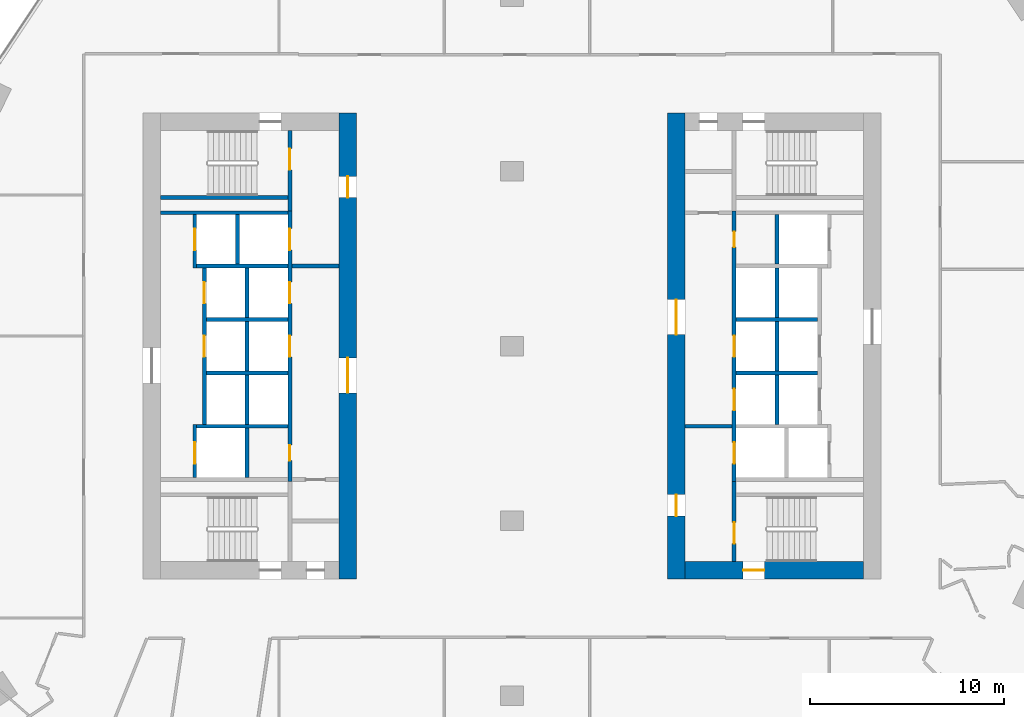
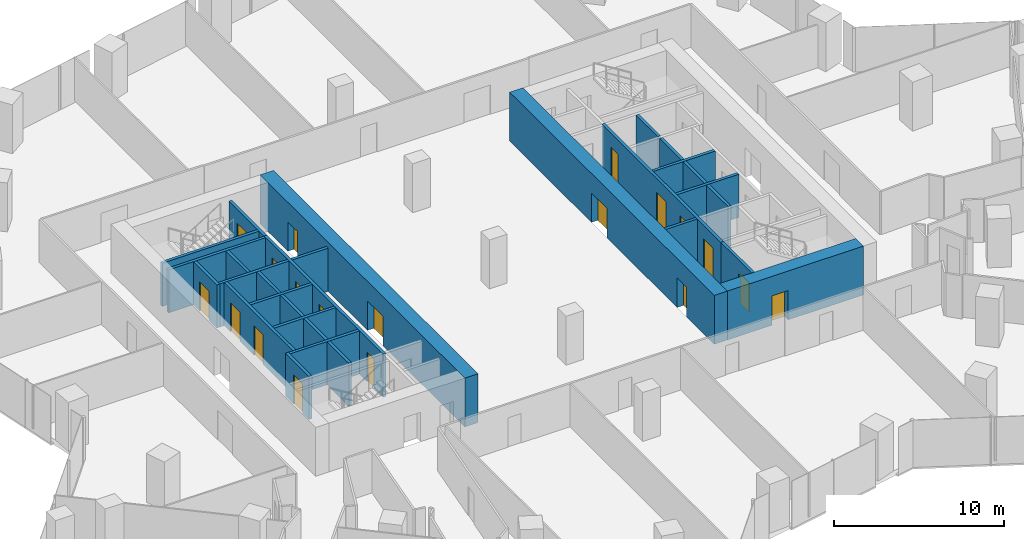
# One storey, part 28 of 38: 29 walls, 19 doors, 19 openings.
"""IFC4 building model written with IfcOpenShell, lengths in metres."""

from ifc_helpers import new_model, si_unit, direction, frame, frame_2d, origin, place, context, subcontext, project, spatial, rectangle, extrude, material, layer, layer_set, type_object, element, fill, save


model = new_model("IFC4")

# Units and contexts
model_context = context("Model", 3, precision=1e-05, world=origin(), true_north=direction((0.0, 1.0)))
body_context = subcontext(model_context, "Body", "Model", "MODEL_VIEW")
ifc_project = project(units=[si_unit("LENGTHUNIT", "METRE"), si_unit("AREAUNIT", "SQUARE_METRE"), si_unit("VOLUMEUNIT", "CUBIC_METRE"), si_unit("PLANEANGLEUNIT", "RADIAN"), si_unit("MASSUNIT", "GRAM", prefix="KILO")], contexts=[model_context])

# Site, building, storey
site_placement = place(None, origin())
site = spatial("IfcSite", under=ifc_project, at=site_placement, CompositionType="ELEMENT")
building_placement = place(site_placement, origin())
building = spatial("IfcBuilding", under=site, at=building_placement, Name="Orlundy Tower", CompositionType="ELEMENT")
storey_placement = place(building_placement, frame((0.0, 0.0, 62.300048828125)))
storey = spatial("IfcBuildingStorey", under=building, at=storey_placement, Name="L14", CompositionType="ELEMENT", Elevation=62.300048828125)

# Wall, openings, doors
ifc_material_1 = material(Name="Concrete C80/95", Category="concrete")
ifc_layer_1 = layer(ifc_material_1, 0.89990234375)
ifc_layer_set_1 = layer_set([ifc_layer_1], Name="CORE WALL 900 C80/95")
wall_type_1 = type_object("IfcWallType", Name="CORE WALL 900 C80/95", PredefinedType="SHEAR", material=ifc_layer_set_1)
wall_1_placement = place(storey_placement, frame((-8.449951171875, -12.0, 0.0), z_axis=(0.0, 0.0, 1.0), x_axis=(0.0, 1.0, 0.0)))
wall_1 = element("IfcWall", 1, at=wall_1_placement, inside=storey, type_object=wall_type_1, Name="Core wall W-E L14", PredefinedType="SHEAR", context=body_context, shape_type="SweptSolid", body=[
    extrude(rectangle(XDim=24.0, YDim=0.89990234375, at=frame_2d((12.0, 0.0))), origin(), (0.0, 0.0, 1.0), 3.5),
])
opening_1_placement = place(wall_1_placement, frame((9.60009765625, 0.0, 0.0)))
opening_1 = element("IfcOpeningElement", 2, at=opening_1_placement, cuts=wall_1, Name="Opening 13009", PredefinedType="OPENING", context=body_context, shape_type="SweptSolid", body=[
    extrude(rectangle(XDim=1.800048828125, YDim=2.10009765625, at=frame_2d((0.89990234375, 1.050048828125))), frame((0.0, 0.4599609375, 0.0), z_axis=(0.0, -1.0, 0.0), x_axis=(1.0, 0.0, 0.0)), (0.0, 0.0, 1.0), 0.919921875),
])
opening_2_placement = place(wall_1_placement, frame((19.64990234375, 0.0, 0.0)))
opening_2 = element("IfcOpeningElement", 3, at=opening_2_placement, cuts=wall_1, Name="Opening 13011", PredefinedType="OPENING", context=body_context, shape_type="SweptSolid", body=[
    extrude(rectangle(XDim=1.10009765625, YDim=2.10009765625, at=frame_2d((0.550048828125, 1.050048828125))), frame((0.0, 0.4599609375, 0.0), z_axis=(0.0, -1.0, 0.0), x_axis=(1.0, 0.0, 0.0)), (0.0, 0.0, 1.0), 0.919921875),
])
ifc_material_2 = material(Name="Steel door set", Category="steel")
door_type_1 = type_object("IfcDoorType", Name="Fire-fighting Lobby Door 1100x2100", OperationType="SINGLE_SWING_LEFT", PredefinedType="DOOR", material=ifc_material_2)
door_1_placement = place(opening_2_placement, origin())
door_1 = element("IfcDoor", 4, at=door_1_placement, inside=storey, type_object=door_type_1, Name="Fire-fighting lobby door 13011", OperationType="SINGLE_SWING_RIGHT", OverallHeight=2.10009765625, OverallWidth=1.10009765625, PredefinedType="DOOR", context=body_context, shape_type="SweptSolid", body=[
    extrude(rectangle(XDim=1.10009765625, YDim=2.10009765625, at=frame_2d((0.550048828125, 1.050048828125))), frame((0.0, 0.02490234375, 0.0), z_axis=(0.0, -1.0, 0.0), x_axis=(1.0, 0.0, 0.0)), (0.0, 0.0, 1.0), 0.050048828125),
])
fill(opening_2, door_1)
ifc_material_3 = material(Name="Timber door set", Category="wood")
door_type_2 = type_object("IfcDoorType", Name="Lobby Door 1800x2100", OperationType="DOUBLE_DOOR_DOUBLE_SWING", PredefinedType="DOOR", material=ifc_material_3)
door_2_placement = place(opening_1_placement, origin())
door_2 = element("IfcDoor", 5, at=door_2_placement, inside=storey, type_object=door_type_2, Name="Lift lobby door 13009", OperationType="SINGLE_SWING_LEFT", OverallHeight=2.10009765625, OverallWidth=1.800048828125, PredefinedType="DOOR", context=body_context, shape_type="SweptSolid", body=[
    extrude(rectangle(XDim=1.800048828125, YDim=2.10009765625, at=frame_2d((0.89990234375, 1.050048828125))), frame((0.0, 0.02490234375, 0.0), z_axis=(0.0, -1.0, 0.0), x_axis=(1.0, 0.0, 0.0)), (0.0, 0.0, 1.0), 0.050048828125),
])
fill(opening_1, door_2)

# Wall, opening, door
wall_2_placement = place(storey_placement, frame((8.89990234375, -11.550048828125, 0.0), z_axis=(0.0, 0.0, 1.0), x_axis=(1.0, 0.0, 0.0)))
wall_2 = element("IfcWall", 6, at=wall_2_placement, inside=storey, type_object=wall_type_1, Name="Core wall E-S L14", PredefinedType="SHEAR", context=body_context, shape_type="SweptSolid", body=[
    extrude(rectangle(XDim=9.2001953125, YDim=0.89990234375, at=frame_2d((4.60009765625, 0.0))), origin(), (0.0, 0.0, 1.0), 3.5),
])
opening_3_placement = place(wall_2_placement, frame((3.0, 0.0, 0.0)))
opening_3 = element("IfcOpeningElement", 7, at=opening_3_placement, cuts=wall_2, Name="Opening 13061", PredefinedType="OPENING", context=body_context, shape_type="SweptSolid", body=[
    extrude(rectangle(XDim=1.10009765625, YDim=2.10009765625, at=frame_2d((0.550048828125, 1.050048828125))), frame((0.0, 0.4599609375, 0.0), z_axis=(0.0, -1.0, 0.0), x_axis=(1.0, 0.0, 0.0)), (0.0, 0.0, 1.0), 0.919921875),
])
ifc_material_4 = material(Name="Steel door set", Category="steel")
door_type_3 = type_object("IfcDoorType", Name="Stair Door 1100x2100", OperationType="SINGLE_SWING_LEFT", PredefinedType="DOOR", material=ifc_material_4)
door_3_placement = place(opening_3_placement, origin())
door_3 = element("IfcDoor", 8, at=door_3_placement, inside=storey, type_object=door_type_3, Name="Stair door 13061", OperationType="SINGLE_SWING_LEFT", OverallHeight=2.10009765625, OverallWidth=1.10009765625, PredefinedType="DOOR", context=body_context, shape_type="SweptSolid", body=[
    extrude(rectangle(XDim=1.10009765625, YDim=2.10009765625, at=frame_2d((0.550048828125, 1.050048828125))), frame((0.0, 0.02490234375, 0.0), z_axis=(0.0, -1.0, 0.0), x_axis=(1.0, 0.0, 0.0)), (0.0, 0.0, 1.0), 0.050048828125),
])
fill(opening_3, door_3)

# Wall, openings, doors
wall_3_placement = place(storey_placement, frame((8.449951171875, -12.0, 0.0), z_axis=(0.0, 0.0, 1.0), x_axis=(0.0, 1.0, 0.0)))
wall_3 = element("IfcWall", 9, at=wall_3_placement, inside=storey, type_object=wall_type_1, Name="Core wall E-W L14", PredefinedType="SHEAR", context=body_context, shape_type="SweptSolid", body=[
    extrude(rectangle(XDim=24.0, YDim=0.89990234375, at=frame_2d((12.0, 0.0))), origin(), (0.0, 0.0, 1.0), 3.5),
])
opening_4_placement = place(wall_3_placement, frame((12.60009765625, 0.0, 0.0)))
opening_4 = element("IfcOpeningElement", 10, at=opening_4_placement, cuts=wall_3, Name="Opening 13058", PredefinedType="OPENING", context=body_context, shape_type="SweptSolid", body=[
    extrude(rectangle(XDim=1.800048828125, YDim=2.10009765625, at=frame_2d((0.89990234375, 1.050048828125))), frame((0.0, 0.4599609375, 0.0), z_axis=(0.0, -1.0, 0.0), x_axis=(1.0, 0.0, 0.0)), (0.0, 0.0, 1.0), 0.919921875),
])
opening_5_placement = place(wall_3_placement, frame((3.25, 0.0, 0.0)))
opening_5 = element("IfcOpeningElement", 11, at=opening_5_placement, cuts=wall_3, Name="Opening 13060", PredefinedType="OPENING", context=body_context, shape_type="SweptSolid", body=[
    extrude(rectangle(XDim=1.10009765625, YDim=2.10009765625, at=frame_2d((0.550048828125, 1.050048828125))), frame((0.0, 0.4599609375, 0.0), z_axis=(0.0, -1.0, 0.0), x_axis=(1.0, 0.0, 0.0)), (0.0, 0.0, 1.0), 0.919921875),
])
door_4_placement = place(opening_5_placement, origin())
door_4 = element("IfcDoor", 12, at=door_4_placement, inside=storey, type_object=door_type_1, Name="Fire-fighting lobby door 13060", OperationType="SINGLE_SWING_LEFT", OverallHeight=2.10009765625, OverallWidth=1.10009765625, PredefinedType="DOOR", context=body_context, shape_type="SweptSolid", body=[
    extrude(rectangle(XDim=1.10009765625, YDim=2.10009765625, at=frame_2d((0.550048828125, 1.050048828125))), frame((0.0, 0.02490234375, 0.0), z_axis=(0.0, -1.0, 0.0), x_axis=(1.0, 0.0, 0.0)), (0.0, 0.0, 1.0), 0.050048828125),
])
fill(opening_5, door_4)
door_5_placement = place(opening_4_placement, origin())
door_5 = element("IfcDoor", 13, at=door_5_placement, inside=storey, type_object=door_type_2, Name="Lift lobby door 13058", OperationType="SINGLE_SWING_RIGHT", OverallHeight=2.10009765625, OverallWidth=1.800048828125, PredefinedType="DOOR", context=body_context, shape_type="SweptSolid", body=[
    extrude(rectangle(XDim=1.800048828125, YDim=2.10009765625, at=frame_2d((0.89990234375, 1.050048828125))), frame((0.0, 0.02490234375, 0.0), z_axis=(0.0, -1.0, 0.0), x_axis=(1.0, 0.0, 0.0)), (0.0, 0.0, 1.0), 0.050048828125),
])
fill(opening_4, door_5)

# Wall, opening, door
ifc_material_5 = material(Name="Concrete C40/50", Category="concrete")
ifc_layer_2 = layer(ifc_material_5, 0.199951171875)
ifc_layer_set_2 = layer_set([ifc_layer_2], Name="Load-bearing Shaft Wall 200")
wall_type_2 = type_object("IfcWallType", Name="Load-bearing Shaft Wall 200", PredefinedType="SOLIDWALL", material=ifc_layer_set_2)
wall_4_placement = place(storey_placement, frame((-11.43994140625, 6.97509765625, 0.0), z_axis=(0.0, 0.0, 1.0), x_axis=(0.0, 1.0, 0.0)))
wall_4 = element("IfcWall", 14, at=wall_4_placement, inside=storey, type_object=wall_type_2, Name="Shaft wall W13-stair-end-n", PredefinedType="SOLIDWALL", context=body_context, shape_type="SweptSolid", body=[
    extrude(rectangle(XDim=4.125, YDim=0.199951171875, at=frame_2d((2.0625, 0.0))), origin(), (0.0, 0.0, 1.0), 3.08984375),
])
opening_6_placement = place(wall_4_placement, frame((2.10009765625, 0.0, 0.0)))
opening_6 = element("IfcOpeningElement", 15, at=opening_6_placement, cuts=wall_4, Name="Opening 13014", PredefinedType="OPENING", context=body_context, shape_type="SweptSolid", body=[
    extrude(rectangle(XDim=1.10009765625, YDim=2.10009765625, at=frame_2d((0.550048828125, 1.050048828125))), frame((0.0, 0.110107421875, 0.0), z_axis=(0.0, -1.0, 0.0), x_axis=(1.0, 0.0, 0.0)), (0.0, 0.0, 1.0), 0.22021484375),
])
door_6_placement = place(opening_6_placement, origin())
door_6 = element("IfcDoor", 16, at=door_6_placement, inside=storey, type_object=door_type_1, Name="Fire-fighting lobby to stair door 13014", OperationType="SINGLE_SWING_RIGHT", OverallHeight=2.10009765625, OverallWidth=1.10009765625, PredefinedType="DOOR", context=body_context, shape_type="SweptSolid", body=[
    extrude(rectangle(XDim=1.10009765625, YDim=2.10009765625, at=frame_2d((0.550048828125, 1.050048828125))), frame((0.0, 0.02490234375, 0.0), z_axis=(0.0, -1.0, 0.0), x_axis=(1.0, 0.0, 0.0)), (0.0, 0.0, 1.0), 0.050048828125),
])
fill(opening_6, door_6)

# Wall
wall_5_placement = place(storey_placement, frame((-11.5400390625, 7.64990234375, 0.0), z_axis=(0.0, 0.0, 1.0), x_axis=(-1.0, 0.0, 0.0)))
element("IfcWall", 17, at=wall_5_placement, inside=storey, type_object=wall_type_2, Name="Shaft wall W13-stair-side-n", PredefinedType="SOLIDWALL", context=body_context, shape_type="SweptSolid", body=[
    extrude(rectangle(XDim=6.56005859375, YDim=0.199951171875, at=frame_2d((3.280029296875, 0.0))), origin(), (0.0, 0.0, 1.0), 3.08984375),
])

# Wall, opening, door
wall_6_placement = place(storey_placement, frame((11.43994140625, -6.97509765625, 0.0), z_axis=(0.0, 0.0, 1.0), x_axis=(0.0, -1.0, 0.0)))
wall_6 = element("IfcWall", 18, at=wall_6_placement, inside=storey, type_object=wall_type_2, Name="Shaft wall E13-stair-end-n", PredefinedType="SOLIDWALL", context=body_context, shape_type="SweptSolid", body=[
    extrude(rectangle(XDim=4.125, YDim=0.199951171875, at=frame_2d((2.0625, 0.0))), origin(), (0.0, 0.0, 1.0), 3.08984375),
])
opening_7_placement = place(wall_6_placement, frame((2.10009765625, 0.0, 0.0)))
opening_7 = element("IfcOpeningElement", 19, at=opening_7_placement, cuts=wall_6, Name="Opening 13063", PredefinedType="OPENING", context=body_context, shape_type="SweptSolid", body=[
    extrude(rectangle(XDim=1.10009765625, YDim=2.10009765625, at=frame_2d((0.550048828125, 1.050048828125))), frame((0.0, 0.110107421875, 0.0), z_axis=(0.0, -1.0, 0.0), x_axis=(1.0, 0.0, 0.0)), (0.0, 0.0, 1.0), 0.22021484375),
])
door_7_placement = place(opening_7_placement, origin())
door_7 = element("IfcDoor", 20, at=door_7_placement, inside=storey, type_object=door_type_1, Name="Fire-fighting lobby to stair door 13063", OperationType="SINGLE_SWING_RIGHT", OverallHeight=2.10009765625, OverallWidth=1.10009765625, PredefinedType="DOOR", context=body_context, shape_type="SweptSolid", body=[
    extrude(rectangle(XDim=1.10009765625, YDim=2.10009765625, at=frame_2d((0.550048828125, 1.050048828125))), frame((0.0, 0.02490234375, 0.0), z_axis=(0.0, -1.0, 0.0), x_axis=(1.0, 0.0, 0.0)), (0.0, 0.0, 1.0), 0.050048828125),
])
fill(opening_7, door_7)

# Walls
ifc_material_6 = material(Name="Gypsum board partition on steel studs", Category="steel")
ifc_layer_3 = layer(ifc_material_6, 0.199951171875)
ifc_layer_set_3 = layer_set([ifc_layer_3], Name="Partition 200")
wall_type_3 = type_object("IfcWallType", Name="Partition 200", PredefinedType="PARTITIONING", material=ifc_layer_set_3)
for number, where, z_axis, x_axis, name in (
    (21, (-8.89990234375, 4.125, 0.0), (0.0, 0.0, 1.0), (-1.0, 0.0, 0.0), "Partition wall W13-lobby-n"),
    (22, (8.89990234375, -4.125, 0.0), (0.0, 0.0, 1.0), (1.0, 0.0, 0.0), "Partition wall E13-lobby-n"),
):
    element("IfcWall", number, at=place(storey_placement, frame(where, z_axis=z_axis, x_axis=x_axis)), inside=storey, type_object=wall_type_3, Name=name, PredefinedType="PARTITIONING", context=body_context, shape_type="SweptSolid", body=[
        extrude(rectangle(XDim=2.440185546875, YDim=0.199951171875, at=frame_2d((1.22021484375, 0.0))), origin(), (0.0, 0.0, 1.0), 3.08984375),
    ])
ifc_material_7 = material(Name="Fire-rated blockwork shaft wall", Category="masonry")
ifc_layer_4 = layer(ifc_material_7, 0.199951171875)
ifc_layer_set_4 = layer_set([ifc_layer_4], Name="Shaft Wall 200")
wall_type_4 = type_object("IfcWallType", Name="Shaft Wall 200", PredefinedType="SOLIDWALL", material=ifc_layer_set_4)
wall_7_placement = place(storey_placement, frame((-11.5400390625, 6.875, 0.0), z_axis=(0.0, 0.0, 1.0), x_axis=(-1.0, 0.0, 0.0)))
element("IfcWall", 23, at=wall_7_placement, inside=storey, type_object=wall_type_4, Name="Shaft wall W13-zone-n", PredefinedType="SOLIDWALL", context=body_context, shape_type="SweptSolid", body=[
    extrude(rectangle(XDim=6.56005859375, YDim=0.199951171875, at=frame_2d((3.280029296875, 0.0))), origin(), (0.0, 0.0, 1.0), 3.08984375),
])
wall_8_placement = place(storey_placement, frame((-11.5400390625, -4.125, 0.0), z_axis=(0.0, 0.0, 1.0), x_axis=(-1.0, 0.0, 0.0)))
element("IfcWall", 24, at=wall_8_placement, inside=storey, type_object=wall_type_4, Name="Shaft wall W13-cross-4.125", PredefinedType="SOLIDWALL", context=body_context, shape_type="SweptSolid", body=[
    extrude(rectangle(XDim=4.699951171875, YDim=0.199951171875, at=frame_2d((2.35009765625, 0.0))), origin(), (0.0, 0.0, 1.0), 3.08984375),
])
for number, where, z_axis, x_axis, name in (
    (25, (-11.5400390625, -1.375, 0.0), (0.0, 0.0, 1.0), (-1.0, 0.0, 0.0), "Shaft wall W13-cross-1.375"),
    (26, (-11.5400390625, 1.375, 0.0), (0.0, 0.0, 1.0), (-1.0, 0.0, 0.0), "Shaft wall W13-cross+1.375"),
):
    element("IfcWall", number, at=place(storey_placement, frame(where, z_axis=z_axis, x_axis=x_axis)), inside=storey, type_object=wall_type_4, Name=name, PredefinedType="SOLIDWALL", context=body_context, shape_type="SweptSolid", body=[
        extrude(rectangle(XDim=4.199951171875, YDim=0.199951171875, at=frame_2d((2.10009765625, 0.0))), origin(), (0.0, 0.0, 1.0), 3.08984375),
    ])
wall_9_placement = place(storey_placement, frame((-11.5400390625, 4.125, 0.0), z_axis=(0.0, 0.0, 1.0), x_axis=(-1.0, 0.0, 0.0)))
element("IfcWall", 27, at=wall_9_placement, inside=storey, type_object=wall_type_4, Name="Shaft wall W13-cross+4.125", PredefinedType="SOLIDWALL", context=body_context, shape_type="SweptSolid", body=[
    extrude(rectangle(XDim=4.699951171875, YDim=0.199951171875, at=frame_2d((2.35009765625, 0.0))), origin(), (0.0, 0.0, 1.0), 3.08984375),
])

# Wall, openings, doors
wall_10_placement = place(storey_placement, frame((-11.43994140625, -6.97509765625, 0.0), z_axis=(0.0, 0.0, 1.0), x_axis=(0.0, 1.0, 0.0)))
wall_10 = element("IfcWall", 28, at=wall_10_placement, inside=storey, type_object=wall_type_4, Name="Shaft wall W13-front-h", PredefinedType="SOLIDWALL", context=body_context, shape_type="SweptSolid", body=[
    extrude(rectangle(XDim=13.9501953125, YDim=0.199951171875, at=frame_2d((6.97509765625, 0.0))), origin(), (0.0, 0.0, 1.0), 3.08984375),
])
opening_8_placement = place(wall_10_placement, frame((6.425048828125, 0.0, 0.0)))
opening_8 = element("IfcOpeningElement", 29, at=opening_8_placement, cuts=wall_10, Name="Opening 13002", PredefinedType="OPENING", context=body_context, shape_type="SweptSolid", body=[
    extrude(rectangle(XDim=1.10009765625, YDim=2.10009765625, at=frame_2d((0.550048828125, 1.050048828125))), frame((0.0, 0.110107421875, 0.0), z_axis=(0.0, -1.0, 0.0), x_axis=(1.0, 0.0, 0.0)), (0.0, 0.0, 1.0), 0.22021484375),
])
opening_9_placement = place(wall_10_placement, frame((9.175048828125, 0.0, 0.0)))
opening_9 = element("IfcOpeningElement", 30, at=opening_9_placement, cuts=wall_10, Name="Opening 13004", PredefinedType="OPENING", context=body_context, shape_type="SweptSolid", body=[
    extrude(rectangle(XDim=1.10009765625, YDim=2.10009765625, at=frame_2d((0.550048828125, 1.050048828125))), frame((0.0, 0.110107421875, 0.0), z_axis=(0.0, -1.0, 0.0), x_axis=(1.0, 0.0, 0.0)), (0.0, 0.0, 1.0), 0.22021484375),
])
opening_10_placement = place(wall_10_placement, frame((11.925048828125, 0.0, 0.0)))
opening_10 = element("IfcOpeningElement", 31, at=opening_10_placement, cuts=wall_10, Name="Opening 13006", PredefinedType="OPENING", context=body_context, shape_type="SweptSolid", body=[
    extrude(rectangle(XDim=1.10009765625, YDim=2.10009765625, at=frame_2d((0.550048828125, 1.050048828125))), frame((0.0, 0.110107421875, 0.0), z_axis=(0.0, -1.0, 0.0), x_axis=(1.0, 0.0, 0.0)), (0.0, 0.0, 1.0), 0.22021484375),
])
opening_11_placement = place(wall_10_placement, frame((1.074951171875, 0.0, 0.0)))
opening_11 = element("IfcOpeningElement", 32, at=opening_11_placement, cuts=wall_10, Name="Opening 13008", PredefinedType="OPENING", context=body_context, shape_type="SweptSolid", body=[
    extrude(rectangle(XDim=0.800048828125, YDim=2.10009765625, at=frame_2d((0.39990234375, 1.050048828125))), frame((0.0, 0.110107421875, 0.0), z_axis=(0.0, -1.0, 0.0), x_axis=(1.0, 0.0, 0.0)), (0.0, 0.0, 1.0), 0.22021484375),
])
ifc_material_8 = material(Name="Steel door set", Category="steel")
door_type_4 = type_object("IfcDoorType", Name="Landing Door 1100x2100", OperationType="DOUBLE_DOOR_SLIDING", PredefinedType="DOOR", material=ifc_material_8)
door_8_placement = place(opening_8_placement, origin())
door_8 = element("IfcDoor", 33, at=door_8_placement, inside=storey, type_object=door_type_4, Name="Lift landing door LP-05 13002", OperationType="DOUBLE_DOOR_SLIDING", OverallHeight=2.10009765625, OverallWidth=1.10009765625, PredefinedType="DOOR", context=body_context, shape_type="SweptSolid", body=[
    extrude(rectangle(XDim=1.10009765625, YDim=2.10009765625, at=frame_2d((0.550048828125, 1.050048828125))), frame((0.0, 0.02490234375, 0.0), z_axis=(0.0, -1.0, 0.0), x_axis=(1.0, 0.0, 0.0)), (0.0, 0.0, 1.0), 0.050048828125),
])
fill(opening_8, door_8)
door_9_placement = place(opening_9_placement, origin())
door_9 = element("IfcDoor", 34, at=door_9_placement, inside=storey, type_object=door_type_4, Name="Lift landing door LP-02 13004", OperationType="DOUBLE_DOOR_SLIDING", OverallHeight=2.10009765625, OverallWidth=1.10009765625, PredefinedType="DOOR", context=body_context, shape_type="SweptSolid", body=[
    extrude(rectangle(XDim=1.10009765625, YDim=2.10009765625, at=frame_2d((0.550048828125, 1.050048828125))), frame((0.0, 0.02490234375, 0.0), z_axis=(0.0, -1.0, 0.0), x_axis=(1.0, 0.0, 0.0)), (0.0, 0.0, 1.0), 0.050048828125),
])
fill(opening_9, door_9)
door_10_placement = place(opening_10_placement, origin())
door_10 = element("IfcDoor", 35, at=door_10_placement, inside=storey, type_object=door_type_4, Name="Lift landing door FL1 13006", OperationType="DOUBLE_DOOR_SLIDING", OverallHeight=2.10009765625, OverallWidth=1.10009765625, PredefinedType="DOOR", context=body_context, shape_type="SweptSolid", body=[
    extrude(rectangle(XDim=1.10009765625, YDim=2.10009765625, at=frame_2d((0.550048828125, 1.050048828125))), frame((0.0, 0.02490234375, 0.0), z_axis=(0.0, -1.0, 0.0), x_axis=(1.0, 0.0, 0.0)), (0.0, 0.0, 1.0), 0.050048828125),
])
fill(opening_10, door_10)
ifc_material_9 = material(Name="Timber door set", Category="wood")
door_type_5 = type_object("IfcDoorType", Name="Riser Door 800x2100", OperationType="SINGLE_SWING_LEFT", PredefinedType="DOOR", material=ifc_material_9)
door_11_placement = place(opening_11_placement, origin())
door_11 = element("IfcDoor", 36, at=door_11_placement, inside=storey, type_object=door_type_5, Name="Pantry Store door 13008", OperationType="SINGLE_SWING_LEFT", OverallHeight=2.10009765625, OverallWidth=0.800048828125, PredefinedType="DOOR", context=body_context, shape_type="SweptSolid", body=[
    extrude(rectangle(XDim=0.800048828125, YDim=2.10009765625, at=frame_2d((0.39990234375, 1.050048828125))), frame((0.0, 0.02490234375, 0.0), z_axis=(0.0, -1.0, 0.0), x_axis=(1.0, 0.0, 0.0)), (0.0, 0.0, 1.0), 0.050048828125),
])
fill(opening_11, door_11)

# Walls
for number, where, z_axis, x_axis, name in (
    (37, (-13.639892578125, -6.77490234375, 0.0), (0.0, 0.0, 1.0), (0.0, 1.0, 0.0), "Shaft wall W13-mid-a"),
    (38, (-13.639892578125, -4.02490234375, 0.0), (0.0, 0.0, 1.0), (0.0, 1.0, 0.0), "Shaft wall W13-mid-a.1"),
    (39, (-13.639892578125, -1.27490234375, 0.0), (0.0, 0.0, 1.0), (0.0, 1.0, 0.0), "Shaft wall W13-mid-a.2"),
    (40, (-13.639892578125, 1.47509765625, 0.0), (0.0, 0.0, 1.0), (0.0, 1.0, 0.0), "Shaft wall W13-mid-a.3"),
    (41, (-14.139892578125, 4.22509765625, 0.0), (0.0, 0.0, 1.0), (0.0, 1.0, 0.0), "Shaft wall W13-mid-b"),
):
    element("IfcWall", number, at=place(storey_placement, frame(where, z_axis=z_axis, x_axis=x_axis)), inside=storey, type_object=wall_type_4, Name=name, PredefinedType="SOLIDWALL", context=body_context, shape_type="SweptSolid", body=[
        extrude(rectangle(XDim=2.5498046875, YDim=0.199951171875, at=frame_2d((1.27490234375, 0.0))), origin(), (0.0, 0.0, 1.0), 3.08984375),
    ])

# Wall, opening, door
wall_11_placement = place(storey_placement, frame((-16.340087890625, -6.77490234375, 0.0), z_axis=(0.0, 0.0, 1.0), x_axis=(0.0, 1.0, 0.0)))
wall_11 = element("IfcWall", 42, at=wall_11_placement, inside=storey, type_object=wall_type_4, Name="Shaft wall W13-front-o-a", PredefinedType="SOLIDWALL", context=body_context, shape_type="SweptSolid", body=[
    extrude(rectangle(XDim=2.75, YDim=0.199951171875, at=frame_2d((1.375, 0.0))), origin(), (0.0, 0.0, 1.0), 3.08984375),
])
opening_12_placement = place(wall_11_placement, frame((0.72509765625, 0.0, 0.0)))
opening_12 = element("IfcOpeningElement", 43, at=opening_12_placement, cuts=wall_11, Name="Opening 13001", PredefinedType="OPENING", context=body_context, shape_type="SweptSolid", body=[
    extrude(rectangle(XDim=1.10009765625, YDim=2.10009765625, at=frame_2d((0.550048828125, 1.050048828125))), frame((0.0, 0.110107421875, 0.0), z_axis=(0.0, -1.0, 0.0), x_axis=(1.0, 0.0, 0.0)), (0.0, 0.0, 1.0), 0.22021484375),
])
door_12_placement = place(opening_12_placement, origin())
door_12 = element("IfcDoor", 44, at=door_12_placement, inside=storey, type_object=door_type_4, Name="Lift landing door LV-01 13001", OperationType="DOUBLE_DOOR_SLIDING", OverallHeight=2.10009765625, OverallWidth=1.10009765625, PredefinedType="DOOR", context=body_context, shape_type="SweptSolid", body=[
    extrude(rectangle(XDim=1.10009765625, YDim=2.10009765625, at=frame_2d((0.550048828125, 1.050048828125))), frame((0.0, 0.02490234375, 0.0), z_axis=(0.0, -1.0, 0.0), x_axis=(1.0, 0.0, 0.0)), (0.0, 0.0, 1.0), 0.050048828125),
])
fill(opening_12, door_12)

# Wall, openings, doors
wall_12_placement = place(storey_placement, frame((-15.840087890625, -4.02490234375, 0.0), z_axis=(0.0, 0.0, 1.0), x_axis=(0.0, 1.0, 0.0)))
wall_12 = element("IfcWall", 45, at=wall_12_placement, inside=storey, type_object=wall_type_4, Name="Shaft wall W13-front-o-b", PredefinedType="SOLIDWALL", context=body_context, shape_type="SweptSolid", body=[
    extrude(rectangle(XDim=8.0498046875, YDim=0.199951171875, at=frame_2d((4.02490234375, 0.0))), origin(), (0.0, 0.0, 1.0), 3.08984375),
])
opening_13_placement = place(wall_12_placement, frame((3.47509765625, 0.0, 0.0)))
opening_13 = element("IfcOpeningElement", 46, at=opening_13_placement, cuts=wall_12, Name="Opening 13003", PredefinedType="OPENING", context=body_context, shape_type="SweptSolid", body=[
    extrude(rectangle(XDim=1.10009765625, YDim=2.10009765625, at=frame_2d((0.550048828125, 1.050048828125))), frame((0.0, 0.110107421875, 0.0), z_axis=(0.0, -1.0, 0.0), x_axis=(1.0, 0.0, 0.0)), (0.0, 0.0, 1.0), 0.22021484375),
])
opening_14_placement = place(wall_12_placement, frame((6.22509765625, 0.0, 0.0)))
opening_14 = element("IfcOpeningElement", 47, at=opening_14_placement, cuts=wall_12, Name="Opening 13005", PredefinedType="OPENING", context=body_context, shape_type="SweptSolid", body=[
    extrude(rectangle(XDim=1.10009765625, YDim=2.10009765625, at=frame_2d((0.550048828125, 1.050048828125))), frame((0.0, 0.110107421875, 0.0), z_axis=(0.0, -1.0, 0.0), x_axis=(1.0, 0.0, 0.0)), (0.0, 0.0, 1.0), 0.22021484375),
])
door_13_placement = place(opening_13_placement, origin())
door_13 = element("IfcDoor", 48, at=door_13_placement, inside=storey, type_object=door_type_4, Name="Lift landing door LP-01 13003", OperationType="DOUBLE_DOOR_SLIDING", OverallHeight=2.10009765625, OverallWidth=1.10009765625, PredefinedType="DOOR", context=body_context, shape_type="SweptSolid", body=[
    extrude(rectangle(XDim=1.10009765625, YDim=2.10009765625, at=frame_2d((0.550048828125, 1.050048828125))), frame((0.0, 0.02490234375, 0.0), z_axis=(0.0, -1.0, 0.0), x_axis=(1.0, 0.0, 0.0)), (0.0, 0.0, 1.0), 0.050048828125),
])
fill(opening_13, door_13)
door_14_placement = place(opening_14_placement, origin())
door_14 = element("IfcDoor", 49, at=door_14_placement, inside=storey, type_object=door_type_4, Name="Lift landing door LP-03 13005", OperationType="DOUBLE_DOOR_SLIDING", OverallHeight=2.10009765625, OverallWidth=1.10009765625, PredefinedType="DOOR", context=body_context, shape_type="SweptSolid", body=[
    extrude(rectangle(XDim=1.10009765625, YDim=2.10009765625, at=frame_2d((0.550048828125, 1.050048828125))), frame((0.0, 0.02490234375, 0.0), z_axis=(0.0, -1.0, 0.0), x_axis=(1.0, 0.0, 0.0)), (0.0, 0.0, 1.0), 0.050048828125),
])
fill(opening_14, door_14)

# Wall, opening, door
wall_13_placement = place(storey_placement, frame((-16.340087890625, 4.02490234375, 0.0), z_axis=(0.0, 0.0, 1.0), x_axis=(0.0, 1.0, 0.0)))
wall_13 = element("IfcWall", 50, at=wall_13_placement, inside=storey, type_object=wall_type_4, Name="Shaft wall W13-front-o-c", PredefinedType="SOLIDWALL", context=body_context, shape_type="SweptSolid", body=[
    extrude(rectangle(XDim=2.75, YDim=0.199951171875, at=frame_2d((1.375, 0.0))), origin(), (0.0, 0.0, 1.0), 3.08984375),
])
opening_15_placement = place(wall_13_placement, frame((0.925048828125, 0.0, 0.0)))
opening_15 = element("IfcOpeningElement", 51, at=opening_15_placement, cuts=wall_13, Name="Opening 13007", PredefinedType="OPENING", context=body_context, shape_type="SweptSolid", body=[
    extrude(rectangle(XDim=1.10009765625, YDim=2.10009765625, at=frame_2d((0.550048828125, 1.050048828125))), frame((0.0, 0.110107421875, 0.0), z_axis=(0.0, -1.0, 0.0), x_axis=(1.0, 0.0, 0.0)), (0.0, 0.0, 1.0), 0.22021484375),
])
door_15_placement = place(opening_15_placement, origin())
door_15 = element("IfcDoor", 52, at=door_15_placement, inside=storey, type_object=door_type_4, Name="Lift landing door LP-04 13007", OperationType="DOUBLE_DOOR_SLIDING", OverallHeight=2.10009765625, OverallWidth=1.10009765625, PredefinedType="DOOR", context=body_context, shape_type="SweptSolid", body=[
    extrude(rectangle(XDim=1.10009765625, YDim=2.10009765625, at=frame_2d((0.550048828125, 1.050048828125))), frame((0.0, 0.02490234375, 0.0), z_axis=(0.0, -1.0, 0.0), x_axis=(1.0, 0.0, 0.0)), (0.0, 0.0, 1.0), 0.050048828125),
])
fill(opening_15, door_15)

# Walls
for number, where, z_axis, x_axis, name in (
    (53, (11.5400390625, 1.375, 0.0), (0.0, 0.0, 1.0), (1.0, 0.0, 0.0), "Shaft wall E13-cross-1.375"),
    (54, (11.5400390625, -1.375, 0.0), (0.0, 0.0, 1.0), (1.0, 0.0, 0.0), "Shaft wall E13-cross+1.375"),
):
    element("IfcWall", number, at=place(storey_placement, frame(where, z_axis=z_axis, x_axis=x_axis)), inside=storey, type_object=wall_type_4, Name=name, PredefinedType="SOLIDWALL", context=body_context, shape_type="SweptSolid", body=[
        extrude(rectangle(XDim=4.199951171875, YDim=0.199951171875, at=frame_2d((2.10009765625, 0.0))), origin(), (0.0, 0.0, 1.0), 3.08984375),
    ])

# Wall, openings, doors
wall_14_placement = place(storey_placement, frame((11.43994140625, 6.97509765625, 0.0), z_axis=(0.0, 0.0, 1.0), x_axis=(0.0, -1.0, 0.0)))
wall_14 = element("IfcWall", 55, at=wall_14_placement, inside=storey, type_object=wall_type_4, Name="Shaft wall E13-front-h", PredefinedType="SOLIDWALL", context=body_context, shape_type="SweptSolid", body=[
    extrude(rectangle(XDim=13.9501953125, YDim=0.199951171875, at=frame_2d((6.97509765625, 0.0))), origin(), (0.0, 0.0, 1.0), 3.08984375),
])
opening_16_placement = place(wall_14_placement, frame((6.425048828125, 0.0, 0.0)))
opening_16 = element("IfcOpeningElement", 56, at=opening_16_placement, cuts=wall_14, Name="Opening 13051", PredefinedType="OPENING", context=body_context, shape_type="SweptSolid", body=[
    extrude(rectangle(XDim=1.10009765625, YDim=2.10009765625, at=frame_2d((0.550048828125, 1.050048828125))), frame((0.0, 0.110107421875, 0.0), z_axis=(0.0, -1.0, 0.0), x_axis=(1.0, 0.0, 0.0)), (0.0, 0.0, 1.0), 0.22021484375),
])
opening_17_placement = place(wall_14_placement, frame((9.175048828125, 0.0, 0.0)))
opening_17 = element("IfcOpeningElement", 57, at=opening_17_placement, cuts=wall_14, Name="Opening 13053", PredefinedType="OPENING", context=body_context, shape_type="SweptSolid", body=[
    extrude(rectangle(XDim=1.10009765625, YDim=2.10009765625, at=frame_2d((0.550048828125, 1.050048828125))), frame((0.0, 0.110107421875, 0.0), z_axis=(0.0, -1.0, 0.0), x_axis=(1.0, 0.0, 0.0)), (0.0, 0.0, 1.0), 0.22021484375),
])
opening_18_placement = place(wall_14_placement, frame((11.925048828125, 0.0, 0.0)))
opening_18 = element("IfcOpeningElement", 58, at=opening_18_placement, cuts=wall_14, Name="Opening 13055", PredefinedType="OPENING", context=body_context, shape_type="SweptSolid", body=[
    extrude(rectangle(XDim=1.10009765625, YDim=2.10009765625, at=frame_2d((0.550048828125, 1.050048828125))), frame((0.0, 0.110107421875, 0.0), z_axis=(0.0, -1.0, 0.0), x_axis=(1.0, 0.0, 0.0)), (0.0, 0.0, 1.0), 0.22021484375),
])
opening_19_placement = place(wall_14_placement, frame((1.074951171875, 0.0, 0.0)))
opening_19 = element("IfcOpeningElement", 59, at=opening_19_placement, cuts=wall_14, Name="Opening 13057", PredefinedType="OPENING", context=body_context, shape_type="SweptSolid", body=[
    extrude(rectangle(XDim=0.800048828125, YDim=2.10009765625, at=frame_2d((0.39990234375, 1.050048828125))), frame((0.0, 0.110107421875, 0.0), z_axis=(0.0, -1.0, 0.0), x_axis=(1.0, 0.0, 0.0)), (0.0, 0.0, 1.0), 0.22021484375),
])
door_16_placement = place(opening_16_placement, origin())
door_16 = element("IfcDoor", 60, at=door_16_placement, inside=storey, type_object=door_type_4, Name="Lift landing door LP-10 13051", OperationType="DOUBLE_DOOR_SLIDING", OverallHeight=2.10009765625, OverallWidth=1.10009765625, PredefinedType="DOOR", context=body_context, shape_type="SweptSolid", body=[
    extrude(rectangle(XDim=1.10009765625, YDim=2.10009765625, at=frame_2d((0.550048828125, 1.050048828125))), frame((0.0, 0.02490234375, 0.0), z_axis=(0.0, -1.0, 0.0), x_axis=(1.0, 0.0, 0.0)), (0.0, 0.0, 1.0), 0.050048828125),
])
fill(opening_16, door_16)
door_17_placement = place(opening_17_placement, origin())
door_17 = element("IfcDoor", 61, at=door_17_placement, inside=storey, type_object=door_type_4, Name="Lift landing door LP-07 13053", OperationType="DOUBLE_DOOR_SLIDING", OverallHeight=2.10009765625, OverallWidth=1.10009765625, PredefinedType="DOOR", context=body_context, shape_type="SweptSolid", body=[
    extrude(rectangle(XDim=1.10009765625, YDim=2.10009765625, at=frame_2d((0.550048828125, 1.050048828125))), frame((0.0, 0.02490234375, 0.0), z_axis=(0.0, -1.0, 0.0), x_axis=(1.0, 0.0, 0.0)), (0.0, 0.0, 1.0), 0.050048828125),
])
fill(opening_17, door_17)
door_18_placement = place(opening_18_placement, origin())
door_18 = element("IfcDoor", 62, at=door_18_placement, inside=storey, type_object=door_type_4, Name="Lift landing door FL2 13055", OperationType="DOUBLE_DOOR_SLIDING", OverallHeight=2.10009765625, OverallWidth=1.10009765625, PredefinedType="DOOR", context=body_context, shape_type="SweptSolid", body=[
    extrude(rectangle(XDim=1.10009765625, YDim=2.10009765625, at=frame_2d((0.550048828125, 1.050048828125))), frame((0.0, 0.02490234375, 0.0), z_axis=(0.0, -1.0, 0.0), x_axis=(1.0, 0.0, 0.0)), (0.0, 0.0, 1.0), 0.050048828125),
])
fill(opening_18, door_18)
door_19_placement = place(opening_19_placement, origin())
door_19 = element("IfcDoor", 63, at=door_19_placement, inside=storey, type_object=door_type_5, Name="Pantry Store door 13057", OperationType="SINGLE_SWING_LEFT", OverallHeight=2.10009765625, OverallWidth=0.800048828125, PredefinedType="DOOR", context=body_context, shape_type="SweptSolid", body=[
    extrude(rectangle(XDim=0.800048828125, YDim=2.10009765625, at=frame_2d((0.39990234375, 1.050048828125))), frame((0.0, 0.02490234375, 0.0), z_axis=(0.0, -1.0, 0.0), x_axis=(1.0, 0.0, 0.0)), (0.0, 0.0, 1.0), 0.050048828125),
])
fill(opening_19, door_19)

# Walls
for number, where, z_axis, x_axis, name in (
    (64, (13.639892578125, 6.77490234375, 0.0), (0.0, 0.0, 1.0), (0.0, -1.0, 0.0), "Shaft wall E13-mid-a"),
    (65, (13.639892578125, 4.02490234375, 0.0), (0.0, 0.0, 1.0), (0.0, -1.0, 0.0), "Shaft wall E13-mid-a.1"),
    (66, (13.639892578125, 1.27490234375, 0.0), (0.0, 0.0, 1.0), (0.0, -1.0, 0.0), "Shaft wall E13-mid-a.2"),
    (67, (13.639892578125, -1.47509765625, 0.0), (0.0, 0.0, 1.0), (0.0, -1.0, 0.0), "Shaft wall E13-mid-a.3"),
):
    element("IfcWall", number, at=place(storey_placement, frame(where, z_axis=z_axis, x_axis=x_axis)), inside=storey, type_object=wall_type_4, Name=name, PredefinedType="SOLIDWALL", context=body_context, shape_type="SweptSolid", body=[
        extrude(rectangle(XDim=2.5498046875, YDim=0.199951171875, at=frame_2d((1.27490234375, 0.0))), origin(), (0.0, 0.0, 1.0), 3.08984375),
    ])

save(model, "model.ifc")
